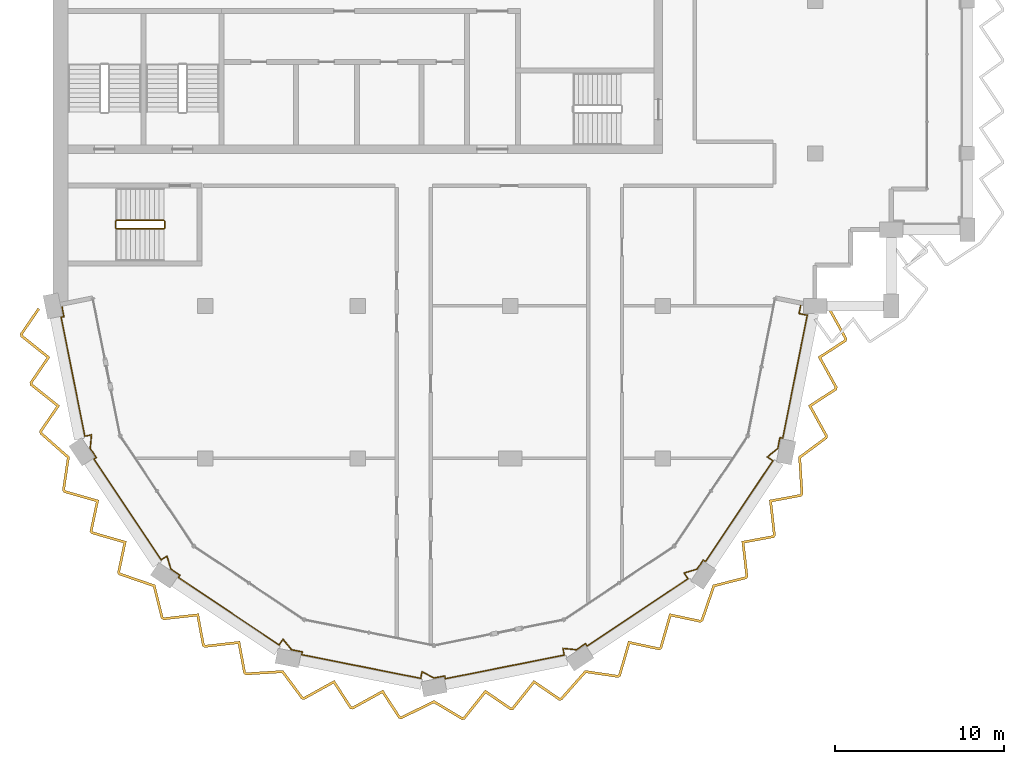
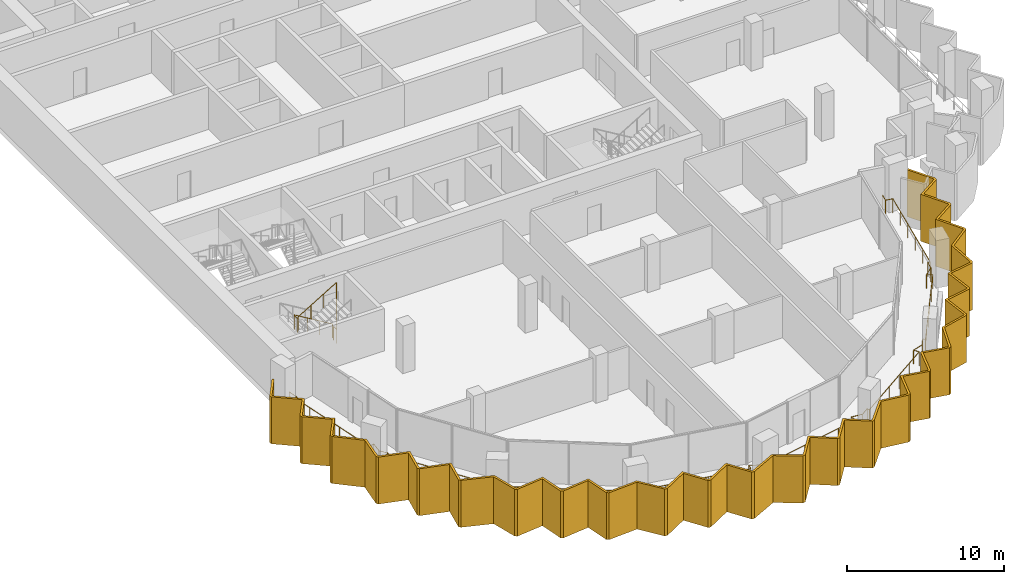
# One storey, part 12 of 14: 2 railings, 1 shading device.
"""IFC4 building model written with IfcOpenShell, lengths in metres."""

from ifc_helpers import new_model, si_unit, direction, frame, origin, origin_2d, place, context, subcontext, project, spatial, polyline, circle, outline, extrude, material, layer, layer_set, type_object, element, save


model = new_model("IFC4")

# Units and contexts
model_context = context("Model", 3, precision=1e-05, world=origin(), true_north=direction((0.0, 1.0)))
body_context = subcontext(model_context, "Body", "Model", "MODEL_VIEW")
ifc_project = project(units=[si_unit("LENGTHUNIT", "METRE"), si_unit("AREAUNIT", "SQUARE_METRE"), si_unit("VOLUMEUNIT", "CUBIC_METRE"), si_unit("PLANEANGLEUNIT", "RADIAN"), si_unit("MASSUNIT", "GRAM", prefix="KILO")], contexts=[model_context])

# Site, building, storey
site_placement = place(None, origin())
site = spatial("IfcSite", under=ifc_project, at=site_placement, CompositionType="ELEMENT")
building_placement = place(site_placement, origin())
building = spatial("IfcBuilding", under=site, at=building_placement, Name="Hunhe Ridgeline Campus", CompositionType="ELEMENT")
storey_placement = place(building_placement, frame((0.0, 0.0, 284.5)))
storey = spatial("IfcBuildingStorey", under=building, at=storey_placement, Name="L73", CompositionType="ELEMENT", Elevation=284.5)

# Railing
ifc_material_1 = material(Name="Steel Q355", Category="steel")
railing_type_1 = type_object("IfcRailingType", Name="Loggia guard 1100 Steel Q355", PredefinedType="GUARDRAIL", material=ifc_material_1)
railing_1_placement = place(storey_placement, frame((0.510009765625, 54.1015625, 0.0)))
element("IfcRailing", 1, at=railing_1_placement, inside=storey, type_object=railing_type_1, Name="Loggia guard 1", PredefinedType="GUARDRAIL", context=body_context, shape_type="SweptSolid", body=[
    extrude(circle(Radius=0.02392578125, at=origin_2d()), frame((0.0, 0.0, 1.076171875), z_axis=(0.194989189992, -0.980805391393, 0.0), x_axis=(0.980805391393, 0.194989189992, 0.0)), (0.0, 0.0, 1.0), 0.75),
    extrude(circle(Radius=0.02392578125, at=origin_2d()), frame((0.146240234375, -0.735595703125, 1.076171875), z_axis=(-0.980746010965, -0.195287639079, 0.0), x_axis=(0.195287639079, -0.980746010965, 0.0)), (0.0, 0.0, 1.0), 0.169921875),
    extrude(circle(Radius=0.02392578125, at=origin_2d()), frame((-0.0205078125, -0.768798828125, 1.076171875), z_axis=(0.195099694312, -0.980783416091, 0.0), x_axis=(0.980783416091, 0.195099694312, 0.0)), (0.0, 0.0, 1.0), 7.160400390625),
    extrude(circle(Radius=0.02392578125, at=origin_2d()), frame((1.37646484375, -7.79150390625, 1.076171875), z_axis=(0.980720044729, 0.195417997808, 0.0), x_axis=(-0.195417997808, 0.980720044729, 0.0)), (0.0, 0.0, 1.0), 0.403564453125),
    extrude(circle(Radius=0.02392578125, at=origin_2d()), frame((1.772216796875, -7.712646484375, 1.076171875), z_axis=(-0.09944331471, -0.995043228789, 0.0), x_axis=(0.995043228789, -0.09944331471, 0.0)), (0.0, 0.0, 1.0), 0.80029296875),
    extrude(circle(Radius=0.02392578125, at=origin_2d()), frame((1.692626953125, -8.509033203125, 1.076171875), z_axis=(0.555484244868, -0.831527061318, 0.0), x_axis=(0.831527061318, 0.555484244868, 0.0)), (0.0, 0.0, 1.0), 0.646484375),
    extrude(circle(Radius=0.02392578125, at=origin_2d()), frame((2.0517578125, -9.046630859375, 1.076171875), z_axis=(-0.831386976724, -0.555693885997, 0.0), x_axis=(0.555693885997, -0.831386976724, 0.0)), (0.0, 0.0, 1.0), 0.169921875),
    extrude(circle(Radius=0.02392578125, at=origin_2d()), frame((1.910400390625, -9.14111328125, 1.076171875), z_axis=(0.555581168767, -0.831462305166, 0.0), x_axis=(0.831462305166, 0.555581168767, 0.0)), (0.0, 0.0, 1.0), 7.16015625),
    extrude(circle(Radius=0.02392578125, at=origin_2d()), frame((5.888427734375, -15.094482421875, 1.076171875), z_axis=(0.831491262241, 0.555537830231, 0.0), x_axis=(-0.555537830231, 0.831491262241, 0.0)), (0.0, 0.0, 1.0), 0.4033203125),
    extrude(circle(Radius=0.02392578125, at=origin_2d()), frame((6.223876953125, -14.870361328125, 1.076171875), z_axis=(0.288914906809, -0.957354780958, 0.0), x_axis=(0.957354780958, 0.288914906809, 0.0)), (0.0, 0.0, 1.0), 0.80029296875),
    extrude(circle(Radius=0.02392578125, at=origin_2d()), frame((6.455078125, -15.636474609375, 1.076171875), z_axis=(0.831352632543, -0.555745265714, 0.0), x_axis=(0.555745265714, 0.831352632543, 0.0)), (0.0, 0.0, 1.0), 0.646728515625),
    extrude(circle(Radius=0.02392578125, at=origin_2d()), frame((6.99267578125, -15.995849609375, 1.076171875), z_axis=(-0.555693885997, -0.831386976724, 0.0), x_axis=(0.831386976724, -0.555693885997, 0.0)), (0.0, 0.0, 1.0), 0.169921875),
    extrude(circle(Radius=0.02392578125, at=origin_2d()), frame((6.898193359375, -16.13720703125, 1.076171875), z_axis=(0.831478056194, -0.555557595635, 0.0), x_axis=(0.555557595635, 0.831478056194, 0.0)), (0.0, 0.0, 1.0), 7.159912109375),
    extrude(circle(Radius=0.02392578125, at=origin_2d()), frame((12.8515625, -20.114990234375, 1.076171875), z_axis=(0.555956014138, 0.831211712107, 0.0), x_axis=(-0.831211712107, 0.555956014138, 0.0)), (0.0, 0.0, 1.0), 0.403564453125),
    extrude(circle(Radius=0.02392578125, at=origin_2d()), frame((13.075927734375, -19.779541015625, 1.076171875), z_axis=(0.633104861372, -0.774066040146, 0.0), x_axis=(0.774066040146, 0.633104861372, 0.0)), (0.0, 0.0, 1.0), 0.800048828125),
    extrude(circle(Radius=0.02392578125, at=origin_2d()), frame((13.58251953125, -20.39892578125, 1.076171875), z_axis=(0.980754587978, -0.195244559871, 0.0), x_axis=(0.195244559871, 0.980754587978, 0.0)), (0.0, 0.0, 1.0), 0.646484375),
    extrude(circle(Radius=0.02392578125, at=origin_2d()), frame((14.216552734375, -20.525146484375, 1.076171875), z_axis=(-0.193905883508, -0.981020136562, 0.0), x_axis=(0.981020136562, -0.193905883508, 0.0)), (0.0, 0.0, 1.0), 0.169921875),
    extrude(circle(Radius=0.02392578125, at=origin_2d()), frame((14.18359375, -20.69189453125, 1.076171875), z_axis=(0.980782118184, -0.195106218893, 0.0), x_axis=(0.195106218893, 0.980782118184, 0.0)), (0.0, 0.0, 1.0), 7.16015625),
    extrude(circle(Radius=0.02392578125, at=origin_2d()), frame((21.2060546875, -22.0888671875, 1.076171875), z_axis=(0.194720424654, 0.980858785057, 0.0), x_axis=(-0.980858785057, 0.194720424654, 0.0)), (0.0, 0.0, 1.0), 0.40380859375),
    extrude(circle(Radius=0.02392578125, at=origin_2d()), frame((21.28466796875, -21.69287109375, 1.076171875), z_axis=(0.881185062436, -0.472771494211, 0.0), x_axis=(0.472771494211, 0.881185062436, 0.0)), (0.0, 0.0, 1.0), 0.800537109375),
    extrude(circle(Radius=0.02392578125, at=origin_2d()), frame((21.989990234375, -22.0712890625, 1.076171875), z_axis=(0.980826840908, 0.194881266811, 0.0), x_axis=(-0.194881266811, 0.980826840908, 0.0)), (0.0, 0.0, 1.0), 0.646484375),
    extrude(circle(Radius=0.02392578125, at=origin_2d()), frame((22.6240234375, -21.9453125, 1.076171875), z_axis=(0.195287639079, -0.980746010965, 0.0), x_axis=(0.980746010965, 0.195287639079, 0.0)), (0.0, 0.0, 1.0), 0.169921875),
    extrude(circle(Radius=0.02392578125, at=origin_2d()), frame((22.6572265625, -22.112060546875, 1.076171875), z_axis=(0.980783416091, 0.195099694312, 0.0), x_axis=(-0.195099694312, 0.980783416091, 0.0)), (0.0, 0.0, 1.0), 7.160400390625),
    extrude(circle(Radius=0.02392578125, at=origin_2d()), frame((29.679931640625, -20.715087890625, 1.076171875), z_axis=(-0.195417997808, 0.980720044729, 0.0), x_axis=(-0.980720044729, -0.195417997808, 0.0)), (0.0, 0.0, 1.0), 0.403564453125),
    extrude(circle(Radius=0.02392578125, at=origin_2d()), frame((29.60107421875, -20.3193359375, 1.076171875), z_axis=(0.995043228789, -0.09944331471, 0.0), x_axis=(0.09944331471, 0.995043228789, 0.0)), (0.0, 0.0, 1.0), 0.80029296875),
    extrude(circle(Radius=0.02392578125, at=origin_2d()), frame((30.3974609375, -20.39892578125, 1.076171875), z_axis=(0.831527061318, 0.555484244868, 0.0), x_axis=(-0.555484244868, 0.831527061318, 0.0)), (0.0, 0.0, 1.0), 0.646484375),
    extrude(circle(Radius=0.02392578125, at=origin_2d()), frame((30.93505859375, -20.039794921875, 1.076171875), z_axis=(0.555693885997, -0.831386976724, 0.0), x_axis=(0.831386976724, 0.555693885997, 0.0)), (0.0, 0.0, 1.0), 0.169921875),
    extrude(circle(Radius=0.02392578125, at=origin_2d()), frame((31.029541015625, -20.18115234375, 1.076171875), z_axis=(0.831462305166, 0.555581168767, 0.0), x_axis=(-0.555581168767, 0.831462305166, 0.0)), (0.0, 0.0, 1.0), 7.16015625),
    extrude(circle(Radius=0.02392578125, at=origin_2d()), frame((36.98291015625, -16.203125, 1.076171875), z_axis=(-0.555537830231, 0.831491262241, 0.0), x_axis=(-0.831491262241, -0.555537830231, 0.0)), (0.0, 0.0, 1.0), 0.4033203125),
    extrude(circle(Radius=0.02392578125, at=origin_2d()), frame((36.7587890625, -15.86767578125, 1.076171875), z_axis=(0.957354780958, 0.288914906809, 0.0), x_axis=(-0.288914906809, 0.957354780958, 0.0)), (0.0, 0.0, 1.0), 0.80029296875),
    extrude(circle(Radius=0.02392578125, at=origin_2d()), frame((37.52490234375, -15.636474609375, 1.076171875), z_axis=(0.555745265714, 0.831352632543, 0.0), x_axis=(-0.831352632543, 0.555745265714, 0.0)), (0.0, 0.0, 1.0), 0.646728515625),
    extrude(circle(Radius=0.02392578125, at=origin_2d()), frame((37.88427734375, -15.098876953125, 1.076171875), z_axis=(0.831386976724, -0.555693885997, 0.0), x_axis=(0.555693885997, 0.831386976724, 0.0)), (0.0, 0.0, 1.0), 0.169921875),
    extrude(circle(Radius=0.02392578125, at=origin_2d()), frame((38.025634765625, -15.193359375, 1.076171875), z_axis=(0.555557595635, 0.831478056194, 0.0), x_axis=(-0.831478056194, 0.555557595635, 0.0)), (0.0, 0.0, 1.0), 7.159912109375),
    extrude(circle(Radius=0.02392578125, at=origin_2d()), frame((42.00341796875, -9.239990234375, 1.076171875), z_axis=(-0.831211712107, 0.555956014138, 0.0), x_axis=(-0.555956014138, -0.831211712107, 0.0)), (0.0, 0.0, 1.0), 0.403564453125),
    extrude(circle(Radius=0.02392578125, at=origin_2d()), frame((41.66796875, -9.015625, 1.076171875), z_axis=(0.774066040146, 0.633104861372, 0.0), x_axis=(-0.633104861372, 0.774066040146, 0.0)), (0.0, 0.0, 1.0), 0.800048828125),
    extrude(circle(Radius=0.02392578125, at=origin_2d()), frame((42.287353515625, -8.509033203125, 1.076171875), z_axis=(0.195244559871, 0.980754587978, 0.0), x_axis=(-0.980754587978, 0.195244559871, 0.0)), (0.0, 0.0, 1.0), 0.646484375),
    extrude(circle(Radius=0.02392578125, at=origin_2d()), frame((42.41357421875, -7.875, 1.076171875), z_axis=(0.981020136562, -0.193905883508, 0.0), x_axis=(0.193905883508, 0.981020136562, 0.0)), (0.0, 0.0, 1.0), 0.169921875),
    extrude(circle(Radius=0.02392578125, at=origin_2d()), frame((42.580322265625, -7.907958984375, 1.076171875), z_axis=(0.195088338544, 0.980785674938, 0.0), x_axis=(-0.980785674938, 0.195088338544, 0.0)), (0.0, 0.0, 1.0), 7.40087890625),
    extrude(circle(Radius=0.02392578125, at=origin_2d()), frame((44.024169921875, -0.649169921875, 1.076171875), z_axis=(-0.980789056368, 0.195071337999, 0.0), x_axis=(-0.195071337999, -0.980789056368, 0.0)), (0.0, 0.0, 1.0), 0.494384765625),
    extrude(circle(Radius=0.02392578125, at=origin_2d()), frame((43.539306640625, -0.552734375, 1.076171875), z_axis=(0.195144205131, 0.980774560847, 0.0), x_axis=(-0.980774560847, 0.195144205131, 0.0)), (0.0, 0.0, 1.0), 0.6279296875),
    extrude(circle(Radius=0.02099609375, at=origin_2d()), origin(), (0.0, 0.0, 1.0), 1.052001953125),
    extrude(circle(Radius=0.02099609375, at=origin_2d()), frame((0.146240234375, -0.735595703125, 0.0)), (0.0, 0.0, 1.0), 1.052001953125),
    extrude(circle(Radius=0.02099609375, at=origin_2d()), frame((-0.0205078125, -0.768798828125, 0.0)), (0.0, 0.0, 1.0), 1.052001953125),
    extrude(circle(Radius=0.02099609375, at=origin_2d()), frame((0.2587890625, -2.17333984375, 0.0)), (0.0, 0.0, 1.0), 1.052001953125),
    extrude(circle(Radius=0.02099609375, at=origin_2d()), frame((0.538330078125, -3.577880859375, 0.0)), (0.0, 0.0, 1.0), 1.052001953125),
    extrude(circle(Radius=0.02099609375, at=origin_2d()), frame((0.817626953125, -4.982421875, 0.0)), (0.0, 0.0, 1.0), 1.052001953125),
    extrude(circle(Radius=0.02099609375, at=origin_2d()), frame((1.09716796875, -6.386962890625, 0.0)), (0.0, 0.0, 1.0), 1.052001953125),
    extrude(circle(Radius=0.02099609375, at=origin_2d()), frame((1.37646484375, -7.79150390625, 0.0)), (0.0, 0.0, 1.0), 1.052001953125),
    extrude(circle(Radius=0.02099609375, at=origin_2d()), frame((1.772216796875, -7.712646484375, 0.0)), (0.0, 0.0, 1.0), 1.052001953125),
    extrude(circle(Radius=0.02099609375, at=origin_2d()), frame((1.692626953125, -8.509033203125, 0.0)), (0.0, 0.0, 1.0), 1.052001953125),
    extrude(circle(Radius=0.02099609375, at=origin_2d()), frame((2.0517578125, -9.046630859375, 0.0)), (0.0, 0.0, 1.0), 1.052001953125),
    extrude(circle(Radius=0.02099609375, at=origin_2d()), frame((1.910400390625, -9.14111328125, 0.0)), (0.0, 0.0, 1.0), 1.052001953125),
    extrude(circle(Radius=0.02099609375, at=origin_2d()), frame((2.7060546875, -10.331787109375, 0.0)), (0.0, 0.0, 1.0), 1.052001953125),
    extrude(circle(Radius=0.02099609375, at=origin_2d()), frame((3.501708984375, -11.5224609375, 0.0)), (0.0, 0.0, 1.0), 1.052001953125),
    extrude(circle(Radius=0.02099609375, at=origin_2d()), frame((4.297119140625, -12.713134765625, 0.0)), (0.0, 0.0, 1.0), 1.052001953125),
    extrude(circle(Radius=0.02099609375, at=origin_2d()), frame((5.0927734375, -13.90380859375, 0.0)), (0.0, 0.0, 1.0), 1.052001953125),
    extrude(circle(Radius=0.02099609375, at=origin_2d()), frame((5.888427734375, -15.094482421875, 0.0)), (0.0, 0.0, 1.0), 1.052001953125),
    extrude(circle(Radius=0.02099609375, at=origin_2d()), frame((6.223876953125, -14.870361328125, 0.0)), (0.0, 0.0, 1.0), 1.052001953125),
    extrude(circle(Radius=0.02099609375, at=origin_2d()), frame((6.455078125, -15.636474609375, 0.0)), (0.0, 0.0, 1.0), 1.052001953125),
    extrude(circle(Radius=0.02099609375, at=origin_2d()), frame((6.99267578125, -15.995849609375, 0.0)), (0.0, 0.0, 1.0), 1.052001953125),
    extrude(circle(Radius=0.02099609375, at=origin_2d()), frame((6.898193359375, -16.13720703125, 0.0)), (0.0, 0.0, 1.0), 1.052001953125),
    extrude(circle(Radius=0.02099609375, at=origin_2d()), frame((8.0888671875, -16.932861328125, 0.0)), (0.0, 0.0, 1.0), 1.052001953125),
    extrude(circle(Radius=0.02099609375, at=origin_2d()), frame((9.279541015625, -17.728271484375, 0.0)), (0.0, 0.0, 1.0), 1.052001953125),
    extrude(circle(Radius=0.02099609375, at=origin_2d()), frame((10.47021484375, -18.52392578125, 0.0)), (0.0, 0.0, 1.0), 1.052001953125),
    extrude(circle(Radius=0.02099609375, at=origin_2d()), frame((11.660888671875, -19.3193359375, 0.0)), (0.0, 0.0, 1.0), 1.052001953125),
    extrude(circle(Radius=0.02099609375, at=origin_2d()), frame((12.8515625, -20.114990234375, 0.0)), (0.0, 0.0, 1.0), 1.052001953125),
    extrude(circle(Radius=0.02099609375, at=origin_2d()), frame((13.075927734375, -19.779541015625, 0.0)), (0.0, 0.0, 1.0), 1.052001953125),
    extrude(circle(Radius=0.02099609375, at=origin_2d()), frame((13.58251953125, -20.39892578125, 0.0)), (0.0, 0.0, 1.0), 1.052001953125),
    extrude(circle(Radius=0.02099609375, at=origin_2d()), frame((14.216552734375, -20.525146484375, 0.0)), (0.0, 0.0, 1.0), 1.052001953125),
    extrude(circle(Radius=0.02099609375, at=origin_2d()), frame((14.18359375, -20.69189453125, 0.0)), (0.0, 0.0, 1.0), 1.052001953125),
    extrude(circle(Radius=0.02099609375, at=origin_2d()), frame((15.588134765625, -20.97119140625, 0.0)), (0.0, 0.0, 1.0), 1.052001953125),
    extrude(circle(Radius=0.02099609375, at=origin_2d()), frame((16.99267578125, -21.250732421875, 0.0)), (0.0, 0.0, 1.0), 1.052001953125),
    extrude(circle(Radius=0.02099609375, at=origin_2d()), frame((18.39697265625, -21.530029296875, 0.0)), (0.0, 0.0, 1.0), 1.052001953125),
    extrude(circle(Radius=0.02099609375, at=origin_2d()), frame((19.801513671875, -21.8095703125, 0.0)), (0.0, 0.0, 1.0), 1.052001953125),
    extrude(circle(Radius=0.02099609375, at=origin_2d()), frame((21.2060546875, -22.0888671875, 0.0)), (0.0, 0.0, 1.0), 1.052001953125),
    extrude(circle(Radius=0.02099609375, at=origin_2d()), frame((21.28466796875, -21.69287109375, 0.0)), (0.0, 0.0, 1.0), 1.052001953125),
    extrude(circle(Radius=0.02099609375, at=origin_2d()), frame((21.989990234375, -22.0712890625, 0.0)), (0.0, 0.0, 1.0), 1.052001953125),
    extrude(circle(Radius=0.02099609375, at=origin_2d()), frame((22.6240234375, -21.9453125, 0.0)), (0.0, 0.0, 1.0), 1.052001953125),
    extrude(circle(Radius=0.02099609375, at=origin_2d()), frame((22.6572265625, -22.112060546875, 0.0)), (0.0, 0.0, 1.0), 1.052001953125),
    extrude(circle(Radius=0.02099609375, at=origin_2d()), frame((24.061767578125, -21.832763671875, 0.0)), (0.0, 0.0, 1.0), 1.052001953125),
    extrude(circle(Radius=0.02099609375, at=origin_2d()), frame((25.46630859375, -21.55322265625, 0.0)), (0.0, 0.0, 1.0), 1.052001953125),
    extrude(circle(Radius=0.02099609375, at=origin_2d()), frame((26.870849609375, -21.27392578125, 0.0)), (0.0, 0.0, 1.0), 1.052001953125),
    extrude(circle(Radius=0.02099609375, at=origin_2d()), frame((28.275390625, -20.994384765625, 0.0)), (0.0, 0.0, 1.0), 1.052001953125),
    extrude(circle(Radius=0.02099609375, at=origin_2d()), frame((29.679931640625, -20.715087890625, 0.0)), (0.0, 0.0, 1.0), 1.052001953125),
    extrude(circle(Radius=0.02099609375, at=origin_2d()), frame((29.60107421875, -20.3193359375, 0.0)), (0.0, 0.0, 1.0), 1.052001953125),
    extrude(circle(Radius=0.02099609375, at=origin_2d()), frame((30.3974609375, -20.39892578125, 0.0)), (0.0, 0.0, 1.0), 1.052001953125),
    extrude(circle(Radius=0.02099609375, at=origin_2d()), frame((30.93505859375, -20.039794921875, 0.0)), (0.0, 0.0, 1.0), 1.052001953125),
    extrude(circle(Radius=0.02099609375, at=origin_2d()), frame((31.029541015625, -20.18115234375, 0.0)), (0.0, 0.0, 1.0), 1.052001953125),
    extrude(circle(Radius=0.02099609375, at=origin_2d()), frame((32.22021484375, -19.385498046875, 0.0)), (0.0, 0.0, 1.0), 1.052001953125),
    extrude(circle(Radius=0.02099609375, at=origin_2d()), frame((33.410888671875, -18.58984375, 0.0)), (0.0, 0.0, 1.0), 1.052001953125),
    extrude(circle(Radius=0.02099609375, at=origin_2d()), frame((34.6015625, -17.79443359375, 0.0)), (0.0, 0.0, 1.0), 1.052001953125),
    extrude(circle(Radius=0.02099609375, at=origin_2d()), frame((35.792236328125, -16.998779296875, 0.0)), (0.0, 0.0, 1.0), 1.052001953125),
    extrude(circle(Radius=0.02099609375, at=origin_2d()), frame((36.98291015625, -16.203125, 0.0)), (0.0, 0.0, 1.0), 1.052001953125),
    extrude(circle(Radius=0.02099609375, at=origin_2d()), frame((36.7587890625, -15.86767578125, 0.0)), (0.0, 0.0, 1.0), 1.052001953125),
    extrude(circle(Radius=0.02099609375, at=origin_2d()), frame((37.52490234375, -15.636474609375, 0.0)), (0.0, 0.0, 1.0), 1.052001953125),
    extrude(circle(Radius=0.02099609375, at=origin_2d()), frame((37.88427734375, -15.098876953125, 0.0)), (0.0, 0.0, 1.0), 1.052001953125),
    extrude(circle(Radius=0.02099609375, at=origin_2d()), frame((38.025634765625, -15.193359375, 0.0)), (0.0, 0.0, 1.0), 1.052001953125),
    extrude(circle(Radius=0.02099609375, at=origin_2d()), frame((38.8212890625, -14.002685546875, 0.0)), (0.0, 0.0, 1.0), 1.052001953125),
    extrude(circle(Radius=0.02099609375, at=origin_2d()), frame((39.61669921875, -12.81201171875, 0.0)), (0.0, 0.0, 1.0), 1.052001953125),
    extrude(circle(Radius=0.02099609375, at=origin_2d()), frame((40.412353515625, -11.621337890625, 0.0)), (0.0, 0.0, 1.0), 1.052001953125),
    extrude(circle(Radius=0.02099609375, at=origin_2d()), frame((41.207763671875, -10.4306640625, 0.0)), (0.0, 0.0, 1.0), 1.052001953125),
    extrude(circle(Radius=0.02099609375, at=origin_2d()), frame((42.00341796875, -9.239990234375, 0.0)), (0.0, 0.0, 1.0), 1.052001953125),
    extrude(circle(Radius=0.02099609375, at=origin_2d()), frame((41.66796875, -9.015625, 0.0)), (0.0, 0.0, 1.0), 1.052001953125),
    extrude(circle(Radius=0.02099609375, at=origin_2d()), frame((42.287353515625, -8.509033203125, 0.0)), (0.0, 0.0, 1.0), 1.052001953125),
    extrude(circle(Radius=0.02099609375, at=origin_2d()), frame((42.41357421875, -7.875, 0.0)), (0.0, 0.0, 1.0), 1.052001953125),
    extrude(circle(Radius=0.02099609375, at=origin_2d()), frame((42.580322265625, -7.907958984375, 0.0)), (0.0, 0.0, 1.0), 1.052001953125),
    extrude(circle(Radius=0.02099609375, at=origin_2d()), frame((42.869140625, -6.456298828125, 0.0)), (0.0, 0.0, 1.0), 1.052001953125),
    extrude(circle(Radius=0.02099609375, at=origin_2d()), frame((43.157958984375, -5.00439453125, 0.0)), (0.0, 0.0, 1.0), 1.052001953125),
    extrude(circle(Radius=0.02099609375, at=origin_2d()), frame((43.446533203125, -3.552734375, 0.0)), (0.0, 0.0, 1.0), 1.052001953125),
    extrude(circle(Radius=0.02099609375, at=origin_2d()), frame((43.7353515625, -2.100830078125, 0.0)), (0.0, 0.0, 1.0), 1.052001953125),
    extrude(circle(Radius=0.02099609375, at=origin_2d()), frame((44.024169921875, -0.649169921875, 0.0)), (0.0, 0.0, 1.0), 1.052001953125),
    extrude(circle(Radius=0.02099609375, at=origin_2d()), frame((43.539306640625, -0.552734375, 0.0)), (0.0, 0.0, 1.0), 1.052001953125),
    extrude(circle(Radius=0.02099609375, at=origin_2d()), frame((43.661865234375, 0.063232421875, 0.0)), (0.0, 0.0, 1.0), 1.052001953125),
])

# Shading device
ifc_material_2 = material(Name="Concrete C50", Category="concrete")
ifc_layer = layer(ifc_material_2, 0.14990234375)
ifc_layer_set = layer_set([ifc_layer], Name="Sawtooth concrete fin 150 Concrete C50")
shading_device_type = type_object("IfcShadingDeviceType", Name="Sawtooth concrete fin 150 Concrete C50", PredefinedType="USERDEFINED", material=ifc_layer_set)
shading_device_placement = place(storey_placement, frame((0.0, 0.0, -0.949951171875)))
element("IfcShadingDevice", 2, at=shading_device_placement, inside=storey, type_object=shading_device_type, Name="Concrete fin screen 1", ObjectType="FIN", PredefinedType="USERDEFINED", context=body_context, shape_type="SweptSolid", body=[
    extrude(outline(polyline([(-0.771240234375, 53.791748046875), (-0.894775390625, 53.876708984375), (-1.9404296875, 52.35400390625), (-1.905517578125, 52.17822265625), (-0.363525390625, 50.948974609375), (-1.36962890625, 49.48388671875), (-1.334716796875, 49.30810546875), (0.20751953125, 48.078857421875), (-0.798583984375, 46.61376953125), (-0.76416015625, 46.440185546875), (0.83251953125, 45.029052734375), (0.55126953125, 43.1240234375), (0.6494140625, 42.977294921875), (2.54443359375, 42.431884765625), (2.175537109375, 40.693115234375), (2.275146484375, 40.544189453125), (4.170166015625, 39.99853515625), (3.801513671875, 38.260009765625), (3.899658203125, 38.11279296875), (5.9150390625, 37.420166015625), (6.38427734375, 35.552490234375), (6.53076171875, 35.45458984375), (8.490478515625, 35.67578125), (8.815185546875, 33.92822265625), (8.9638671875, 33.82861328125), (10.923583984375, 34.050048828125), (11.248291015625, 32.302490234375), (11.395263671875, 32.2041015625), (13.522216796875, 32.335205078125), (14.67041015625, 30.78955078125), (14.843505859375, 30.755126953125), (16.5693359375, 31.70947265625), (17.537841796875, 30.218994140625), (17.713623046875, 30.18408203125), (19.439453125, 31.138427734375), (20.407958984375, 29.648193359375), (20.58154296875, 29.61376953125), (22.496337890625, 30.548828125), (24.148681640625, 29.56005859375), (24.32177734375, 29.594482421875), (25.551025390625, 31.136474609375), (27.01611328125, 30.13037109375), (27.19189453125, 30.165283203125), (28.421142578125, 31.70751953125), (29.88623046875, 30.701416015625), (30.059814453125, 30.73583984375), (31.470947265625, 32.33251953125), (33.3759765625, 32.05126953125), (33.522705078125, 32.1494140625), (34.068115234375, 34.04443359375), (35.806884765625, 33.675537109375), (35.955810546875, 33.775146484375), (36.50146484375, 35.670166015625), (38.239990234375, 35.301513671875), (38.38720703125, 35.399658203125), (39.079833984375, 37.4150390625), (40.947509765625, 37.88427734375), (41.04541015625, 38.03076171875), (40.82421875, 39.990478515625), (42.57177734375, 40.315185546875), (42.67138671875, 40.4638671875), (42.449951171875, 42.423583984375), (44.197509765625, 42.748291015625), (44.2958984375, 42.895263671875), (44.164794921875, 45.022216796875), (45.71044921875, 46.17041015625), (45.744873046875, 46.343505859375), (44.79052734375, 48.0693359375), (46.281005859375, 49.037841796875), (46.31591796875, 49.213623046875), (45.361572265625, 50.939453125), (46.851806640625, 51.907958984375), (46.88671875, 52.083740234375), (45.898681640625, 53.87060546875), (45.767333984375, 53.798095703125), (46.72900390625, 52.05908203125), (46.717041015625, 51.999267578125), (45.16259765625, 50.989013671875), (46.157958984375, 49.18896484375), (46.146240234375, 49.129150390625), (44.591796875, 48.118896484375), (45.587158203125, 46.31884765625), (45.57470703125, 46.25634765625), (44.010009765625, 45.09423828125), (44.14306640625, 42.9365234375), (44.10791015625, 42.88427734375), (42.285400390625, 42.545654296875), (42.51611328125, 40.501708984375), (42.482177734375, 40.450927734375), (40.659423828125, 40.1123046875), (40.890380859375, 38.068603515625), (40.85498046875, 38.015625), (38.964599609375, 37.54052734375), (38.26171875, 35.496337890625), (38.20947265625, 35.46142578125), (36.395751953125, 35.845947265625), (35.826904296875, 33.869384765625), (35.776123046875, 33.83544921875), (33.962646484375, 34.22021484375), (33.3935546875, 32.24365234375), (33.3408203125, 32.208251953125), (31.41259765625, 32.49267578125), (29.98095703125, 30.873046875), (29.919189453125, 30.86083984375), (28.390869140625, 31.91015625), (27.108642578125, 30.3017578125), (27.049072265625, 30.289794921875), (25.520751953125, 31.33935546875), (24.238525390625, 29.73095703125), (24.17626953125, 29.718505859375), (22.503662109375, 30.71923828125), (20.561279296875, 29.770751953125), (20.499267578125, 29.782958984375), (19.489013671875, 31.33740234375), (17.68896484375, 30.342041015625), (17.629150390625, 30.353759765625), (16.618896484375, 31.908203125), (14.81884765625, 30.912841796875), (14.75634765625, 30.92529296875), (13.59423828125, 32.489990234375), (11.4365234375, 32.35693359375), (11.38427734375, 32.39208984375), (11.045654296875, 34.214599609375), (9.001708984375, 33.98388671875), (8.950927734375, 34.017822265625), (8.6123046875, 35.840576171875), (6.568603515625, 35.609619140625), (6.515625, 35.64501953125), (6.04052734375, 37.535400390625), (3.996337890625, 38.23828125), (3.96142578125, 38.29052734375), (4.345947265625, 40.104248046875), (2.369384765625, 40.673095703125), (2.33544921875, 40.723876953125), (2.72021484375, 42.537353515625), (0.74365234375, 43.1064453125), (0.708251953125, 43.1591796875), (0.99267578125, 45.08740234375), (-0.626953125, 46.51904296875), (-0.63916015625, 46.580810546875), (0.41015625, 48.109130859375), (-1.1982421875, 49.391357421875), (-1.210205078125, 49.450927734375), (-0.16064453125, 50.979248046875), (-1.76904296875, 52.261474609375), (-1.781005859375, 52.321044921875), (-0.771240234375, 53.791748046875)])), origin(), (0.0, 0.0, 1.0), 3.64990234375),
])

# Railing
ifc_material_3 = material(Name="Stainless steel balustrade", Category="steel")
railing_type_2 = type_object("IfcRailingType", Name="Stair guard 1100 stainless", PredefinedType="GUARDRAIL", material=ifc_material_3)
railing_2_placement = place(storey_placement, frame((6.550048828125, 59.050048828125, 0.168212890625)))
element("IfcRailing", 3, at=railing_2_placement, inside=storey, type_object=railing_type_2, Name="L73 stair W2 guard", PredefinedType="GUARDRAIL", context=body_context, shape_type="SweptSolid", body=[
    extrude(circle(Radius=0.02392578125, at=origin_2d()), frame((0.0, 0.0, 1.076171875), z_axis=(-0.857242210791, 0.0, 0.514913383045), x_axis=(0.0, -1.0, 0.0)), (0.0, 0.0, 1.0), 3.266357421875),
    extrude(circle(Radius=0.02392578125, at=origin_2d()), frame((-2.800048828125, 0.0, 2.7578125), z_axis=(-0.707106781187, -0.707106781187, 0.0), x_axis=(0.707106781187, -0.707106781187, 0.0)), (0.0, 0.0, 1.0), 0.07080078125),
    extrude(circle(Radius=0.02392578125, at=origin_2d()), frame((-2.85009765625, -0.050048828125, 2.7578125), z_axis=(0.0, -1.0, 0.0), x_axis=(1.0, 0.0, 0.0)), (0.0, 0.0, 1.0), 0.39990234375),
    extrude(circle(Radius=0.02392578125, at=origin_2d()), frame((-2.85009765625, -0.449951171875, 2.7578125), z_axis=(0.274582412415, -0.274582412415, 0.921525364591), x_axis=(0.707106781187, 0.707106781187, 0.0)), (0.0, 0.0, 1.0), 0.182373046875),
    extrude(circle(Radius=0.02392578125, at=origin_2d()), frame((-2.800048828125, -0.5, 2.92578125), z_axis=(0.857242210791, 0.0, 0.514913383045), x_axis=(0.0, 1.0, 0.0)), (0.0, 0.0, 1.0), 3.266357421875),
    extrude(circle(Radius=0.02392578125, at=origin_2d()), frame((0.0, -0.5, 4.60791015625), z_axis=(0.013524414389, 0.013524414389, -0.999817073484), x_axis=(-0.707106781187, 0.707106781187, 0.0)), (0.0, 0.0, 1.0), 3.70068359375),
    extrude(circle(Radius=0.02392578125, at=origin_2d()), frame((0.050048828125, -0.449951171875, 0.90771484375), z_axis=(0.0, 1.0, 0.0), x_axis=(-1.0, 0.0, 0.0)), (0.0, 0.0, 1.0), 0.39990234375),
    extrude(circle(Radius=0.02099609375, at=origin_2d()), origin(), (0.0, 0.0, 1.0), 1.052001953125),
    extrude(circle(Radius=0.02099609375, at=origin_2d()), frame((-0.933349609375, 0.0, 0.560546875)), (0.0, 0.0, 1.0), 1.052001953125),
    extrude(circle(Radius=0.02099609375, at=origin_2d()), frame((-1.86669921875, 0.0, 1.121337890625)), (0.0, 0.0, 1.0), 1.052001953125),
    extrude(circle(Radius=0.02099609375, at=origin_2d()), frame((-2.800048828125, 0.0, 1.681884765625)), (0.0, 0.0, 1.0), 1.052001953125),
    extrude(circle(Radius=0.02099609375, at=origin_2d()), frame((-2.85009765625, -0.050048828125, 1.681884765625)), (0.0, 0.0, 1.0), 1.052001953125),
    extrude(circle(Radius=0.02099609375, at=origin_2d()), frame((-2.85009765625, -0.449951171875, 1.681884765625)), (0.0, 0.0, 1.0), 1.052001953125),
    extrude(circle(Radius=0.02099609375, at=origin_2d()), frame((-2.800048828125, -0.5, 1.849853515625)), (0.0, 0.0, 1.0), 1.052001953125),
    extrude(circle(Radius=0.02099609375, at=origin_2d()), frame((-1.86669921875, -0.5, 2.410400390625)), (0.0, 0.0, 1.0), 1.052001953125),
    extrude(circle(Radius=0.02099609375, at=origin_2d()), frame((-0.933349609375, -0.5, 2.97119140625)), (0.0, 0.0, 1.0), 1.052001953125),
    extrude(circle(Radius=0.02099609375, at=origin_2d()), frame((0.0, -0.5, 3.53173828125)), (0.0, 0.0, 1.0), 1.052001953125),
    extrude(circle(Radius=0.02099609375, at=origin_2d()), frame((0.012451171875, -0.487548828125, 2.606689453125)), (0.0, 0.0, 1.0), 1.052001953125),
    extrude(circle(Radius=0.02099609375, at=origin_2d()), frame((0.02490234375, -0.47509765625, 1.681640625)), (0.0, 0.0, 1.0), 1.052001953125),
    extrude(circle(Radius=0.02099609375, at=origin_2d()), frame((0.03759765625, -0.46240234375, 0.7568359375)), (0.0, 0.0, 1.0), 1.052001953125),
    extrude(circle(Radius=0.02099609375, at=origin_2d()), frame((0.050048828125, -0.449951171875, -0.168212890625)), (0.0, 0.0, 1.0), 1.052001953125),
    extrude(circle(Radius=0.02099609375, at=origin_2d()), frame((0.050048828125, -0.050048828125, -0.168212890625)), (0.0, 0.0, 1.0), 1.052001953125),
])

save(model, "model.ifc")
